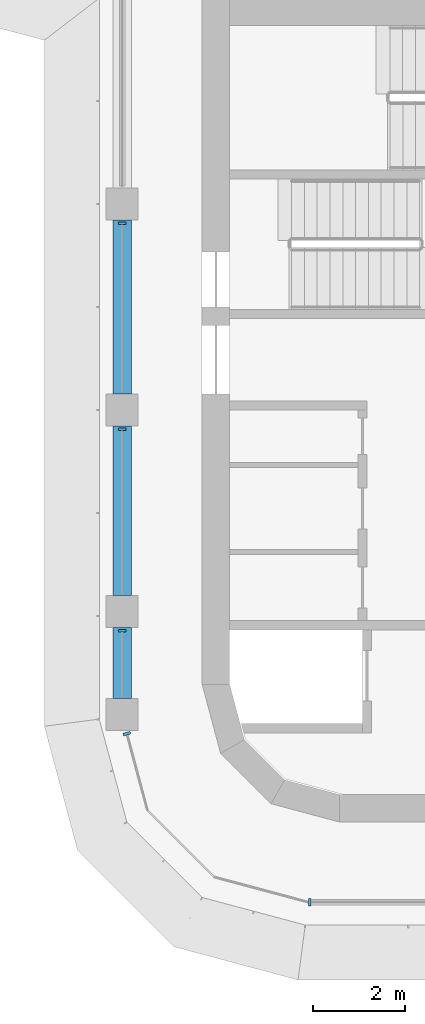
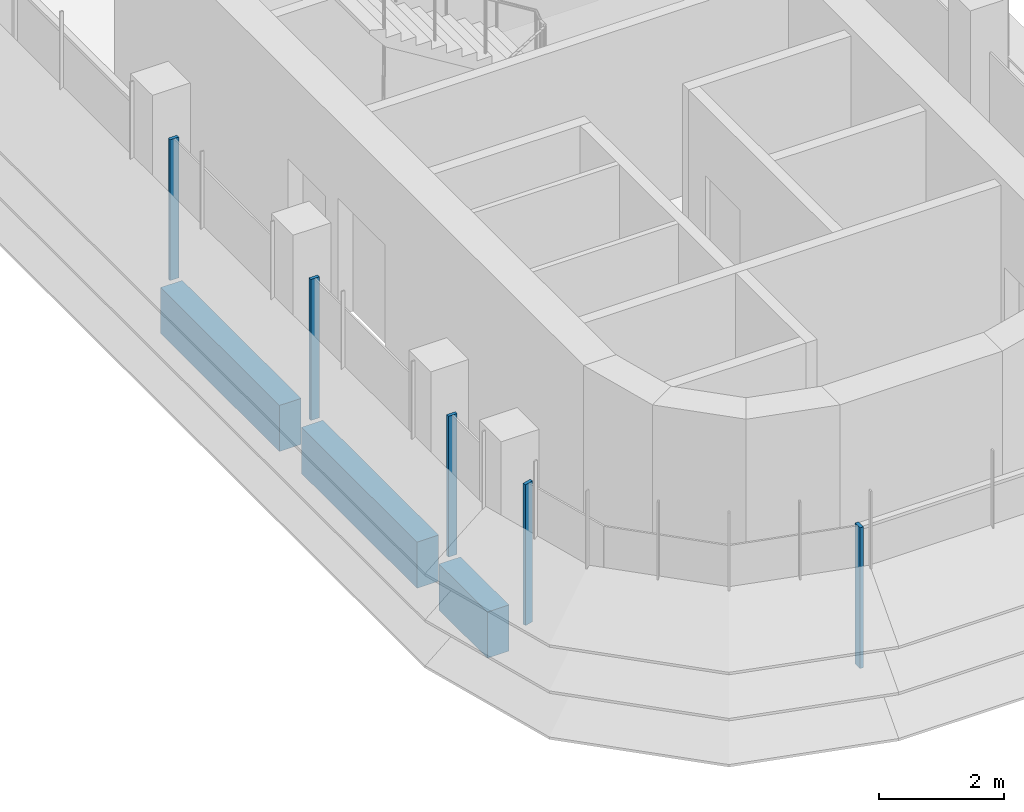
# One storey, part 2 of 19: 5 members, 3 beams, 3 elements without a shape of their own.
"""IFC4 building model written with IfcOpenShell, lengths in metres."""

from ifc_helpers import new_model, si_unit, direction, frame, origin, origin_2d, place, context, subcontext, project, spatial, polyline, rectangle, outline, extrude, source, transform, mapped, material, material_profile, profile_set, type_object, element, aggregate, save


model = new_model("IFC4")

# Units and contexts
model_context = context("Model", 3, precision=1e-05, world=origin(), true_north=direction((0.0, 1.0)))
body_context = subcontext(model_context, "Body", "Model", "MODEL_VIEW")
ifc_project = project(units=[si_unit("LENGTHUNIT", "METRE"), si_unit("AREAUNIT", "SQUARE_METRE"), si_unit("VOLUMEUNIT", "CUBIC_METRE"), si_unit("PLANEANGLEUNIT", "RADIAN"), si_unit("MASSUNIT", "GRAM", prefix="KILO")], contexts=[model_context])

# Site, building, storey
site_placement = place(None, origin())
site = spatial("IfcSite", under=ifc_project, at=site_placement, CompositionType="ELEMENT")
building_placement = place(site_placement, origin())
building = spatial("IfcBuilding", under=site, at=building_placement, Name="Zarbagh Exchange Tower", CompositionType="ELEMENT")
storey_placement = place(building_placement, frame((0.0, 0.0, 199.199951171875)))
storey = spatial("IfcBuildingStorey", under=building, at=storey_placement, Name="L48", CompositionType="ELEMENT", Elevation=199.199951171875)

# Beams
ifc_material_1 = material(Name="Concrete C50/60", Category="concrete")
ifc_material_profile = material_profile(ifc_material_1, rectangle(XDim=0.39990234375, YDim=0.89990234375, at=origin_2d()), Name="RC spandrel beam 400 x 900 C50/60")
ifc_profile_set = profile_set([ifc_material_profile], Name="Concrete C50/60")
beam_type = type_object("IfcBeamType", Name="RC spandrel beam 400 x 900 C50/60", PredefinedType="SPANDREL", material=ifc_profile_set)
beam_1_placement = place(storey_placement, frame((-6.25, -26.550048828125, -0.599853515625), z_axis=(0.0, 1.0, 0.0), x_axis=(-1.0, 0.0, 0.0)))
element("IfcBeam", 1, at=beam_1_placement, inside=storey, type_object=beam_type, Name="RC spandrel beam", PredefinedType="SPANDREL", context=body_context, shape_type="SweptSolid", body=[
    extrude(rectangle(XDim=0.39990234375, YDim=0.89990234375, at=origin_2d()), origin(), (0.0, 0.0, 1.0), 1.550048828125),
])
beam_2_placement = place(storey_placement, frame((-6.25, -24.300048828125, -0.599853515625), z_axis=(0.0, 1.0, 0.0), x_axis=(-1.0, 0.0, 0.0)))
element("IfcBeam", 2, at=beam_2_placement, inside=storey, type_object=beam_type, Name="RC spandrel beam", PredefinedType="SPANDREL", context=body_context, shape_type="SweptSolid", body=[
    extrude(rectangle(XDim=0.39990234375, YDim=0.89990234375, at=origin_2d()), origin(), (0.0, 0.0, 1.0), 3.699951171875),
])
beam_3_placement = place(storey_placement, frame((-6.25, -19.89990234375, -0.599853515625), z_axis=(0.0, 1.0, 0.0), x_axis=(-1.0, 0.0, 0.0)))
element("IfcBeam", 3, at=beam_3_placement, inside=storey, type_object=beam_type, Name="RC spandrel beam", PredefinedType="SPANDREL", context=body_context, shape_type="SweptSolid", body=[
    extrude(rectangle(XDim=0.39990234375, YDim=0.89990234375, at=origin_2d()), origin(), (0.0, 0.0, 1.0), 3.7998046875),
])

# Curtain wall, members
ifc_material_2 = material(Name="Anodised aluminium frame and glazing", Category="aluminium")
curtain_wall_type = type_object("IfcCurtainWallType", Name="CWB Ribbon glazing, upper zones", PredefinedType="NOTDEFINED", material=ifc_material_2)
curtain_wall_1_placement = place(storey_placement, origin())
curtain_wall_1 = element("IfcCurtainWall", 4, at=curtain_wall_1_placement, inside=storey, type_object=curtain_wall_type, Name="CWB53 curtain wall", PredefinedType="NOTDEFINED")
ifc_material_3 = material(Name="Anodised aluminium frame", Category="aluminium")
member_type = type_object("IfcMemberType", Name="MUB Mullion, anodised aluminium frame", PredefinedType="MULLION", material=ifc_material_3)
shared_shape = source(origin(), body_context, "Body", "SweptSolid", [
    extrude(outline(polyline([(0.0, -0.080078125), (0.06005859375, -0.080078125), (0.06005859375, 0.080078125), (0.0, 0.080078125), (0.0, -0.080078125)])), origin(), (0.0, 0.0, 1.0), 2.75),
])
placement = place(storey_placement, origin())
member_1 = element("IfcMember", 5, at=placement, type_object=member_type, Name="CWB53 mullion 2.1", PredefinedType="MULLION", context=body_context, shape_type="MappedRepresentation", body=[
    mapped(shared_shape, transform((-6.25, -16.14013671875, 0.0), x_axis=(0.0, -1.0, 0.0), y_axis=(1.0, 0.0, 0.0), z_axis=(0.0, 0.0, 1.0))),
])
member_2 = element("IfcMember", 6, at=placement, type_object=member_type, Name="CWB53 mullion 3.1", PredefinedType="MULLION", context=body_context, shape_type="MappedRepresentation", body=[
    mapped(shared_shape, transform((-6.25, -20.64013671875, 0.0), x_axis=(0.0, -1.0, 0.0), y_axis=(1.0, 0.0, 0.0), z_axis=(0.0, 0.0, 1.0))),
])
member_3 = element("IfcMember", 7, at=placement, type_object=member_type, Name="CWB53 mullion 4.1", PredefinedType="MULLION", context=body_context, shape_type="MappedRepresentation", body=[
    mapped(shared_shape, transform((-6.25, -25.0400390625, 0.0), x_axis=(0.0, -1.0, 0.0), y_axis=(1.0, 0.0, 0.0), z_axis=(0.0, 0.0, 1.0))),
])
aggregate(curtain_wall_1, [member_1, member_2, member_3])

# Curtain wall, member
curtain_wall_2_placement = place(storey_placement, origin())
curtain_wall_2 = element("IfcCurtainWall", 8, at=curtain_wall_2_placement, inside=storey, type_object=curtain_wall_type, Name="CWB54 curtain wall", PredefinedType="NOTDEFINED")
member_4 = element("IfcMember", 9, at=placement, type_object=member_type, Name="CWB54 mullion 1.1", PredefinedType="MULLION", context=body_context, shape_type="MappedRepresentation", body=[
    mapped(shared_shape, transform((-6.154541015625, -27.2900390625, 0.0), x_axis=(0.258824779902, -0.965924289636, 0.0), y_axis=(0.965924289636, 0.258824779902, 0.0), z_axis=(0.0, 0.0, 1.0))),
])
aggregate(curtain_wall_2, [member_4])

curtain_wall_3_placement = place(storey_placement, origin())
curtain_wall_3 = element("IfcCurtainWall", 10, at=curtain_wall_3_placement, inside=storey, type_object=curtain_wall_type, Name="CWB57 curtain wall", PredefinedType="NOTDEFINED")
member_5 = element("IfcMember", 11, at=placement, type_object=member_type, Name="CWB57 mullion 1.1", PredefinedType="MULLION", context=body_context, shape_type="MappedRepresentation", body=[
    mapped(shared_shape, transform((-2.18408203125, -31.0, 0.0), x_axis=(1.0, 0.0, 0.0), y_axis=(0.0, 1.0, 0.0), z_axis=(0.0, 0.0, 1.0))),
])
aggregate(curtain_wall_3, [member_5])

save(model, "model.ifc")
